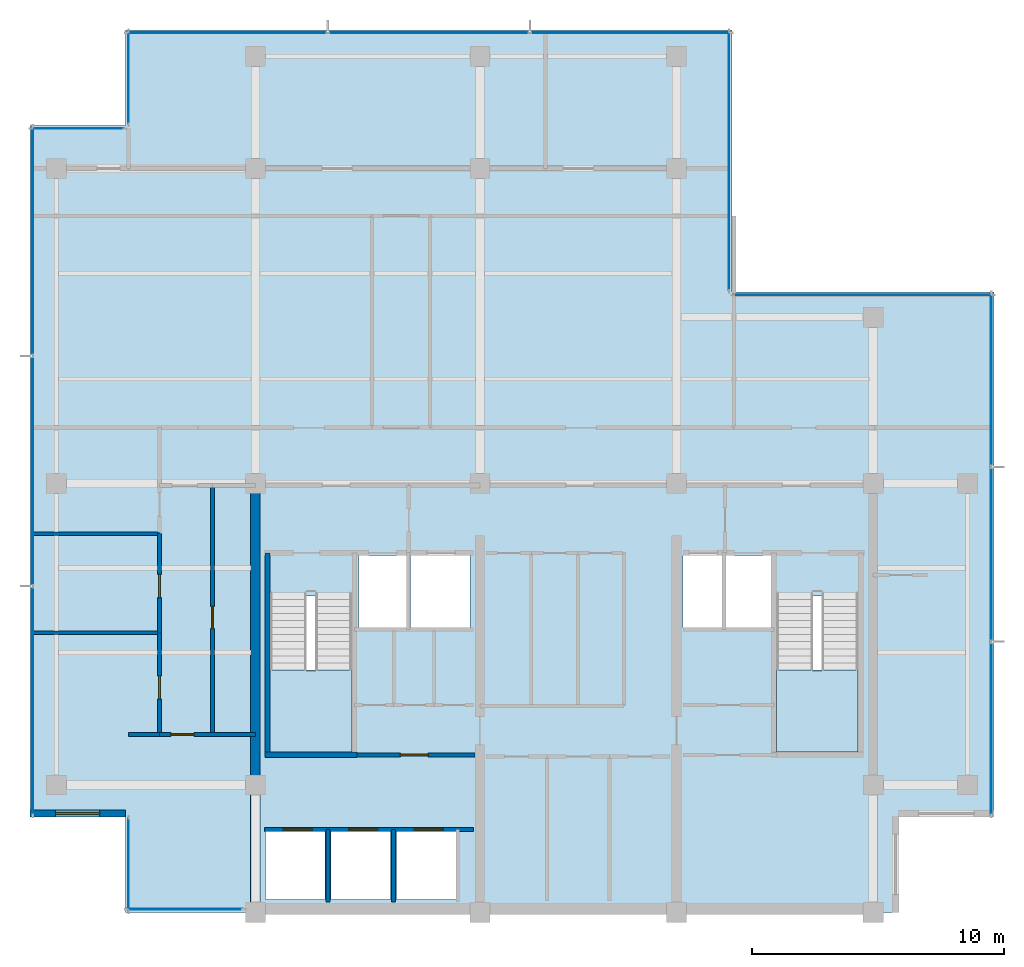
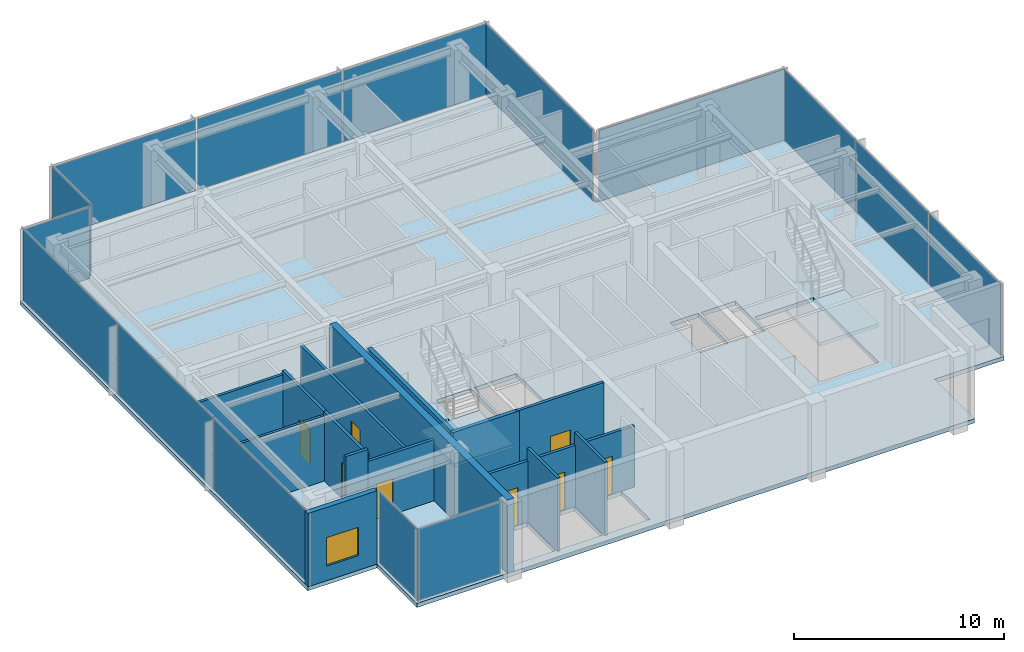
# One storey, part 5 of 11: 15 plates, 15 walls, 8 doors, 3 slabs, 1 window, 9 openings, 11 elements without a shape of their own.
"""IFC4 building model written with IfcOpenShell, lengths in metres."""

import ifcopenshell
import ifcopenshell.guid

model = None  # the IFC model being written
_history = None  # IfcOwnerHistory: only IFC2X3 demands one
_inside = {}  # id of a spatial element -> (the spatial element, [elements in it])
_under = {}  # id of a project, library or spatial element -> (it, [spatial elements below it])
_declared = {}  # id of a project -> (the project, [libraries it declares])
_typed = {}  # id of a type object -> (the type object, [elements of that type])
_made_of = {}  # id of a material, layer set ... -> (it, [elements and type objects made of it])


def new_model(schema):
    """Start an empty IFC model of exactly this schema.

    Asked for "IFC4X3", IfcOpenShell would pick the latest addendum, in which some entities
    have other attributes; the version numbers below select the first issue.
    IFC2X3 requires an IfcOwnerHistory on every rooted entity: one is made here for all.
    """
    global model, _history
    if schema == "IFC4X3":
        model = ifcopenshell.file(schema_version=(4, 3, 0, 0))
    else:
        model = ifcopenshell.file(schema=schema)
    _inside.clear()
    _under.clear()
    _declared.clear()
    _typed.clear()
    _made_of.clear()
    _history = None
    if model.schema == "IFC2X3":
        org = make("IfcOrganization", Name="unknown")
        user = make(
            "IfcPersonAndOrganization",
            ThePerson=make("IfcPerson", FamilyName="unknown"),
            TheOrganization=org,
        )
        app = make(
            "IfcApplication",
            ApplicationDeveloper=org,
            Version="unknown",
            ApplicationFullName="unknown",
            ApplicationIdentifier="unknown",
        )
        _history = make(
            "IfcOwnerHistory",
            OwningUser=user,
            OwningApplication=app,
            ChangeAction="ADDED",
            CreationDate=0,
        )
    return model


def make(cls, **values):
    """One entity of the class cls with the attributes given. An attribute that is None is left unset."""
    return model.create_entity(
        cls, **{name: value for name, value in values.items() if value is not None}
    )


def rooted(cls, **values):
    """An entity with a GlobalId (a new one), such as an element, a storey or a relation."""
    return make(cls, GlobalId=ifcopenshell.guid.new(), OwnerHistory=_history, **values)


def si_unit(unit_type, name, prefix=None):
    """IfcSIUnit, for example si_unit("LENGTHUNIT", "METRE", prefix="MILLI")."""
    return make("IfcSIUnit", UnitType=unit_type, Prefix=prefix, Name=name)


def assignment(units):
    """IfcUnitAssignment: the units of a project."""
    return None if units is None else make("IfcUnitAssignment", Units=units)


def point(xyz):
    """IfcCartesianPoint."""
    return None if xyz is None else make("IfcCartesianPoint", Coordinates=xyz)


def direction(xyz):
    """IfcDirection."""
    return None if xyz is None else make("IfcDirection", DirectionRatios=xyz)


def frame(location, z_axis=None, x_axis=None):
    """IfcAxis2Placement3D, a coordinate frame: its origin and axes. An axis left out is left unset."""
    return make(
        "IfcAxis2Placement3D",
        Location=point(location),
        Axis=direction(z_axis),
        RefDirection=direction(x_axis),
    )


def frame_2d(location, x_axis=None):
    """IfcAxis2Placement2D, a coordinate frame in the plane: its origin and x axis."""
    return make(
        "IfcAxis2Placement2D", Location=point(location), RefDirection=direction(x_axis)
    )


def origin():
    """The frame at (0, 0, 0) with its axes left unset."""
    return frame((0.0, 0.0, 0.0))


def origin_2d():
    """The frame at (0, 0) in the plane with its x axis left unset."""
    return frame_2d((0.0, 0.0))


def place(relative_to, where):
    """IfcLocalPlacement: puts the frame where relative to a parent placement (None: the world)."""
    return make(
        "IfcLocalPlacement", PlacementRelTo=relative_to, RelativePlacement=where
    )


def context(
    kind, dimensions, precision=None, world=None, true_north=None, identifier=None
):
    """IfcGeometricRepresentationContext, for example the 3D "Model" context."""
    return make(
        "IfcGeometricRepresentationContext",
        ContextIdentifier=identifier,
        ContextType=kind,
        CoordinateSpaceDimension=dimensions,
        Precision=precision,
        WorldCoordinateSystem=world,
        TrueNorth=true_north,
    )


def subcontext(parent, identifier, kind, view, scale=None):
    """IfcGeometricRepresentationSubContext, for example "Body" below "Model"."""
    return make(
        "IfcGeometricRepresentationSubContext",
        ContextIdentifier=identifier,
        ContextType=kind,
        ParentContext=parent,
        TargetScale=scale,
        TargetView=view,
    )


def project(units=None, contexts=None):
    """IfcProject with its units and contexts."""
    return rooted(
        "IfcProject",
        Name="project",
        RepresentationContexts=contexts,
        UnitsInContext=assignment(units),
    )


def spatial(cls, under=None, at=None, **own):
    """A site, building, storey or space (cls), placed at a placement, below another one or the project."""
    s = rooted(cls, ObjectPlacement=at, **own)
    if under is not None:
        _under.setdefault(under.id(), (under, []))[1].append(s)
    return s


def polyline(points):
    """IfcPolyline through the points."""
    return make("IfcPolyline", Points=[point(p) for p in points])


def profile(cls, at=None, kind="AREA", **sizes):
    """A parametric profile (cls). Its sizes go by their IFC names, for example OverallWidth=200.0."""
    return make(cls, ProfileType=kind, Position=at, **sizes)


def rectangle(**sizes):
    """IfcRectangleProfileDef."""
    return profile("IfcRectangleProfileDef", **sizes)


def outline(outer, holes=None, kind="AREA"):
    """IfcArbitraryClosedProfileDef: a profile drawn as a closed curve; with holes, ...WithVoids."""
    if holes is None:
        return make("IfcArbitraryClosedProfileDef", ProfileType=kind, OuterCurve=outer)
    return make(
        "IfcArbitraryProfileDefWithVoids",
        ProfileType=kind,
        OuterCurve=outer,
        InnerCurves=holes,
    )


def extrude(swept, where, along, depth):
    """IfcExtrudedAreaSolid: the profile swept, set in the frame where, extruded along a direction by depth."""
    return make(
        "IfcExtrudedAreaSolid",
        SweptArea=swept,
        Position=where,
        ExtrudedDirection=direction(along),
        Depth=depth,
    )


def shape(context_of_items, identifier, shape_type, items):
    """IfcShapeRepresentation: the items that make up one representation, for example the "Body"."""
    return make(
        "IfcShapeRepresentation",
        ContextOfItems=context_of_items,
        RepresentationIdentifier=identifier,
        RepresentationType=shape_type,
        Items=items,
    )


def material(Name=None, Category=None):
    """IfcMaterial."""
    return make("IfcMaterial", Name=Name, Category=Category)


def layer(
    of_material, thickness, ventilated=None, Name=None, Category=None, Priority=None
):
    """IfcMaterialLayer: one layer of a wall or slab, of a material (None: an air gap)."""
    return make(
        "IfcMaterialLayer",
        Material=of_material,
        LayerThickness=thickness,
        IsVentilated=ventilated,
        Name=Name,
        Category=Category,
        Priority=Priority,
    )


def layer_set(layers, Name=None):
    """IfcMaterialLayerSet."""
    return make("IfcMaterialLayerSet", MaterialLayers=layers, LayerSetName=Name)


def made_of(thing, what):
    """Note that an element or type object is made of a material, layer set ...; save() writes the relation."""
    if what is not None:
        _made_of.setdefault(what.id(), (what, []))[1].append(thing)
    return thing


def type_object(cls, material=None, **own):
    """A type object (cls), such as IfcWallType, which elements share."""
    return made_of(rooted(cls, **own), material)


def element(
    cls,
    number,
    at=None,
    inside=None,
    cuts=None,
    type_object=None,
    material=None,
    context=None,
    identifier="Body",
    shape_type=None,
    held_by="IfcProductDefinitionShape",
    body=None,
    shapes=None,
    **own,
):
    """One element of the class cls, such as IfcWall. Its Tag is "e" and its number.

    at: its placement. inside: the storey or other place that contains it. cuts: it is an
    opening in that element (IfcRelVoidsElement). A single representation is given by context,
    identifier, shape_type and body (its items); several are given by shapes. held_by: the class
    of the entity that holds the representations. save() writes the other relations.
    """
    e = rooted(cls, Tag="e%d" % number, ObjectPlacement=at, **own)
    if body is not None:
        shapes = [shape(context, identifier, shape_type, body)]
    if shapes is not None:
        e.Representation = make(held_by, Representations=shapes)
    if inside is not None:
        _inside.setdefault(inside.id(), (inside, []))[1].append(e)
    if cuts is not None:
        rooted(
            "IfcRelVoidsElement", RelatingBuildingElement=cuts, RelatedOpeningElement=e
        )
    if type_object is not None:
        _typed.setdefault(type_object.id(), (type_object, []))[1].append(e)
    return made_of(e, material)


def fill(opening, filler):
    """IfcRelFillsElement: the door or window that sits in an opening."""
    return rooted(
        "IfcRelFillsElement",
        RelatingOpeningElement=opening,
        RelatedBuildingElement=filler,
    )


def aggregate(whole, parts):
    """IfcRelAggregates: a whole, such as a stair, and the parts it consists of."""
    return rooted("IfcRelAggregates", RelatingObject=whole, RelatedObjects=parts)


def save(model, path):
    """Write the relations noted so far, then the file.

    IfcRelAggregates (storeys below a building ...), IfcRelContainedInSpatialStructure (elements
    in a storey), IfcRelDefinesByType, IfcRelAssociatesMaterial and IfcRelDeclares: one each for
    every whole, place, type object, material and project.
    """
    for whole, parts in _under.values():
        aggregate(whole, parts)
    for where, things in _inside.values():
        rooted(
            "IfcRelContainedInSpatialStructure",
            RelatedElements=things,
            RelatingStructure=where,
        )
    for kind, things in _typed.values():
        rooted("IfcRelDefinesByType", RelatedObjects=things, RelatingType=kind)
    for what, things in _made_of.values():
        rooted("IfcRelAssociatesMaterial", RelatedObjects=things, RelatingMaterial=what)
    for by, libraries in _declared.values():
        rooted("IfcRelDeclares", RelatingContext=by, RelatedDefinitions=libraries)
    model.write(path)


model = new_model("IFC4")

# Units and contexts
model_context = context("Model", 3, precision=1e-05, world=origin(), true_north=direction((0.0, 1.0)))
body_context = subcontext(model_context, "Body", "Model", "MODEL_VIEW")
ifc_project = project(units=[si_unit("LENGTHUNIT", "METRE"), si_unit("AREAUNIT", "SQUARE_METRE"), si_unit("VOLUMEUNIT", "CUBIC_METRE"), si_unit("PLANEANGLEUNIT", "RADIAN"), si_unit("MASSUNIT", "GRAM", prefix="KILO")], contexts=[model_context])

# Site, building, storey
site_placement = place(None, origin())
site = spatial("IfcSite", under=ifc_project, at=site_placement, CompositionType="ELEMENT")
building_placement = place(site_placement, origin())
building = spatial("IfcBuilding", under=site, at=building_placement, Name="Qalmaran Belvedere Hotel", CompositionType="ELEMENT")
storey_placement = place(building_placement, frame((0.0, 0.0, 285.39990234375)))
storey = spatial("IfcBuildingStorey", under=building, at=storey_placement, Name="L74", CompositionType="ELEMENT", Elevation=285.39990234375)

# Curtain wall, plate
ifc_material_1 = material(Name="Anodised Bronze Aluminium", Category="aluminium")
ifc_layer_1 = layer(ifc_material_1, 0.18505859375, Name="Anodised Bronze Aluminium")
ifc_layer_set_1 = layer_set([ifc_layer_1], Name="Anodised Bronze Aluminium")
curtain_wall_type = type_object("IfcCurtainWallType", Name="CW6-TOWER-SKY", PredefinedType="NOTDEFINED", material=ifc_layer_set_1)
curtain_wall_1_placement = place(storey_placement, origin())
curtain_wall_1 = element("IfcCurtainWall", 1, at=curtain_wall_1_placement, inside=storey, type_object=curtain_wall_type, Name="L74 Curtain Wall CW6", PredefinedType="NOTDEFINED")
ifc_material_2 = material(Name="Solar-Control Double Glazing", Category="glass")
ifc_layer_2 = layer(ifc_material_2, 0.028076171875, Name="Solar-Control Double Glazing")
ifc_layer_set_2 = layer_set([ifc_layer_2], Name="Solar-Control Double Glazing")
plate_type = type_object("IfcPlateType", Name="CWP-VISION-28", PredefinedType="CURTAIN_PANEL", material=ifc_layer_set_2)
plate_1_placement = place(storey_placement, frame((17.5048828125, 3.6201171875, 0.065185546875), z_axis=(0.0, 0.0, 1.0), x_axis=(1.0, 0.0, 0.0)))
plate_1 = element("IfcPlate", 2, at=plate_1_placement, type_object=plate_type, Name="CW6 panel 1.1", PredefinedType="CURTAIN_PANEL", context=body_context, shape_type="SweptSolid", body=[
    extrude(rectangle(XDim=4.580078125, YDim=0.028076171875, at=origin_2d()), origin(), (0.0, 0.0, 1.0), 4.1298828125),
])
aggregate(curtain_wall_1, [plate_1])

# Curtain wall, plates
curtain_wall_2_placement = place(storey_placement, origin())
curtain_wall_2 = element("IfcCurtainWall", 3, at=curtain_wall_2_placement, inside=storey, type_object=curtain_wall_type, Name="L74 Curtain Wall CW6", PredefinedType="NOTDEFINED")
plate_2_placement = place(storey_placement, frame((49.47998046875, 10.782958984375, 0.065185546875), z_axis=(0.0, 0.0, 1.0), x_axis=(0.0, 1.0, 0.0)))
plate_2 = element("IfcPlate", 4, at=plate_2_placement, type_object=plate_type, Name="CW6 panel 1.1", PredefinedType="CURTAIN_PANEL", context=body_context, shape_type="SweptSolid", body=[
    extrude(rectangle(XDim=6.8359375, YDim=0.028076171875, at=origin_2d()), origin(), (0.0, 0.0, 1.0), 4.1298828125),
])
plate_3_placement = place(storey_placement, frame((49.47998046875, 17.699951171875, 0.065185546875), z_axis=(0.0, 0.0, 1.0), x_axis=(0.0, 1.0, 0.0)))
plate_3 = element("IfcPlate", 5, at=plate_3_placement, type_object=plate_type, Name="CW6 panel 2.1", PredefinedType="CURTAIN_PANEL", context=body_context, shape_type="SweptSolid", body=[
    extrude(rectangle(XDim=6.868408203125, YDim=0.028076171875, at=origin_2d()), origin(), (0.0, 0.0, 1.0), 4.1298828125),
])
plate_4_placement = place(storey_placement, frame((49.47998046875, 24.6171875, 0.065185546875), z_axis=(0.0, 0.0, 1.0), x_axis=(0.0, 1.0, 0.0)))
plate_4 = element("IfcPlate", 6, at=plate_4_placement, type_object=plate_type, Name="CW6 panel 3.1", PredefinedType="CURTAIN_PANEL", context=body_context, shape_type="SweptSolid", body=[
    extrude(rectangle(XDim=6.8359375, YDim=0.028076171875, at=origin_2d()), origin(), (0.0, 0.0, 1.0), 4.1298828125),
])
aggregate(curtain_wall_2, [plate_2, plate_3, plate_4])

# Curtain wall, plate
curtain_wall_3_placement = place(storey_placement, origin())
curtain_wall_3 = element("IfcCurtainWall", 7, at=curtain_wall_3_placement, inside=storey, type_object=curtain_wall_type, Name="L74 Curtain Wall CW6", PredefinedType="NOTDEFINED")
plate_5_placement = place(storey_placement, frame((44.39990234375, 27.97998046875, 0.065185546875), z_axis=(0.0, 0.0, 1.0), x_axis=(-1.0, 0.0, 0.0)))
plate_5 = element("IfcPlate", 8, at=plate_5_placement, type_object=plate_type, Name="CW6 panel 1.1", PredefinedType="CURTAIN_PANEL", context=body_context, shape_type="SweptSolid", body=[
    extrude(rectangle(XDim=10.27001953125, YDim=0.028076171875, at=origin_2d()), origin(), (0.0, 0.0, 1.0), 4.1298828125),
])
aggregate(curtain_wall_3, [plate_5])

curtain_wall_4_placement = place(storey_placement, origin())
curtain_wall_4 = element("IfcCurtainWall", 9, at=curtain_wall_4_placement, inside=storey, type_object=curtain_wall_type, Name="L74 Curtain Wall CW6", PredefinedType="NOTDEFINED")
plate_6_placement = place(storey_placement, frame((39.080078125, 33.300048828125, 0.065185546875), z_axis=(0.0, 0.0, 1.0), x_axis=(0.0, 1.0, 0.0)))
plate_6 = element("IfcPlate", 10, at=plate_6_placement, type_object=plate_type, Name="CW6 panel 1.1", PredefinedType="CURTAIN_PANEL", context=body_context, shape_type="SweptSolid", body=[
    extrude(rectangle(XDim=10.27001953125, YDim=0.028076171875, at=origin_2d()), origin(), (0.0, 0.0, 1.0), 4.1298828125),
])
aggregate(curtain_wall_4, [plate_6])

# Curtain wall, plates
curtain_wall_5_placement = place(storey_placement, origin())
curtain_wall_5 = element("IfcCurtainWall", 11, at=curtain_wall_5_placement, inside=storey, type_object=curtain_wall_type, Name="L74 Curtain Wall CW6", PredefinedType="NOTDEFINED")
plate_7_placement = place(storey_placement, frame((35.175537109375, 38.3798828125, 0.065185546875), z_axis=(0.0, 0.0, 1.0), x_axis=(-1.0, 0.0, 0.0)))
plate_7 = element("IfcPlate", 12, at=plate_7_placement, type_object=plate_type, Name="CW6 panel 1.1", PredefinedType="CURTAIN_PANEL", context=body_context, shape_type="SweptSolid", body=[
    extrude(rectangle(XDim=7.919189453125, YDim=0.028076171875, at=origin_2d()), origin(), (0.0, 0.0, 1.0), 4.1298828125),
])
plate_8_placement = place(storey_placement, frame((27.175048828125, 38.3798828125, 0.065185546875), z_axis=(0.0, 0.0, 1.0), x_axis=(-1.0, 0.0, 0.0)))
plate_8 = element("IfcPlate", 13, at=plate_8_placement, type_object=plate_type, Name="CW6 panel 2.1", PredefinedType="CURTAIN_PANEL", context=body_context, shape_type="SweptSolid", body=[
    extrude(rectangle(XDim=7.95166015625, YDim=0.028076171875, at=origin_2d()), origin(), (0.0, 0.0, 1.0), 4.1298828125),
])
plate_9_placement = place(storey_placement, frame((19.174560546875, 38.3798828125, 0.065185546875), z_axis=(0.0, 0.0, 1.0), x_axis=(-1.0, 0.0, 0.0)))
plate_9 = element("IfcPlate", 14, at=plate_9_placement, type_object=plate_type, Name="CW6 panel 3.1", PredefinedType="CURTAIN_PANEL", context=body_context, shape_type="SweptSolid", body=[
    extrude(rectangle(XDim=7.919189453125, YDim=0.028076171875, at=origin_2d()), origin(), (0.0, 0.0, 1.0), 4.1298828125),
])
aggregate(curtain_wall_5, [plate_7, plate_8, plate_9])

# Curtain wall, plate
curtain_wall_6_placement = place(storey_placement, origin())
curtain_wall_6 = element("IfcCurtainWall", 15, at=curtain_wall_6_placement, inside=storey, type_object=curtain_wall_type, Name="L74 Curtain Wall CW6", PredefinedType="NOTDEFINED")
plate_10_placement = place(storey_placement, frame((15.27001953125, 36.60009765625, 0.065185546875), z_axis=(0.0, 0.0, 1.0), x_axis=(0.0, -1.0, 0.0)))
plate_10 = element("IfcPlate", 16, at=plate_10_placement, type_object=plate_type, Name="CW6 panel 1.1", PredefinedType="CURTAIN_PANEL", context=body_context, shape_type="SweptSolid", body=[
    extrude(rectangle(XDim=3.669921875, YDim=0.028076171875, at=origin_2d()), origin(), (0.0, 0.0, 1.0), 4.1298828125),
])
aggregate(curtain_wall_6, [plate_10])

curtain_wall_7_placement = place(storey_placement, origin())
curtain_wall_7 = element("IfcCurtainWall", 17, at=curtain_wall_7_placement, inside=storey, type_object=curtain_wall_type, Name="L74 Curtain Wall CW6", PredefinedType="NOTDEFINED")
plate_11_placement = place(storey_placement, frame((13.25, 34.580078125, 0.065185546875), z_axis=(0.0, 0.0, 1.0), x_axis=(-1.0, 0.0, 0.0)))
plate_11 = element("IfcPlate", 18, at=plate_11_placement, type_object=plate_type, Name="CW6 panel 1.1", PredefinedType="CURTAIN_PANEL", context=body_context, shape_type="SweptSolid", body=[
    extrude(rectangle(XDim=3.669921875, YDim=0.028076171875, at=origin_2d()), origin(), (0.0, 0.0, 1.0), 4.1298828125),
])
aggregate(curtain_wall_7, [plate_11])

# Curtain wall, plates
curtain_wall_8_placement = place(storey_placement, origin())
curtain_wall_8 = element("IfcCurtainWall", 19, at=curtain_wall_8_placement, inside=storey, type_object=curtain_wall_type, Name="L74 Curtain Wall CW6", PredefinedType="NOTDEFINED")
plate_12_placement = place(storey_placement, frame((11.469970703125, 30.1171875, 0.065185546875), z_axis=(0.0, 0.0, 1.0), x_axis=(0.0, -1.0, 0.0)))
plate_12 = element("IfcPlate", 20, at=plate_12_placement, type_object=plate_type, Name="CW6 panel 1.1", PredefinedType="CURTAIN_PANEL", context=body_context, shape_type="SweptSolid", body=[
    extrude(rectangle(XDim=9.035888671875, YDim=0.028076171875, at=origin_2d()), origin(), (0.0, 0.0, 1.0), 4.1298828125),
])
plate_13_placement = place(storey_placement, frame((11.469970703125, 21.0, 0.065185546875), z_axis=(0.0, 0.0, 1.0), x_axis=(0.0, -1.0, 0.0)))
plate_13 = element("IfcPlate", 21, at=plate_13_placement, type_object=plate_type, Name="CW6 panel 2.1", PredefinedType="CURTAIN_PANEL", context=body_context, shape_type="SweptSolid", body=[
    extrude(rectangle(XDim=9.068359375, YDim=0.028076171875, at=origin_2d()), origin(), (0.0, 0.0, 1.0), 4.1298828125),
])
plate_14_placement = place(storey_placement, frame((11.469970703125, 11.8828125, 0.065185546875), z_axis=(0.0, 0.0, 1.0), x_axis=(0.0, -1.0, 0.0)))
plate_14 = element("IfcPlate", 22, at=plate_14_placement, type_object=plate_type, Name="CW6 panel 3.1", PredefinedType="CURTAIN_PANEL", context=body_context, shape_type="SweptSolid", body=[
    extrude(rectangle(XDim=9.035888671875, YDim=0.028076171875, at=origin_2d()), origin(), (0.0, 0.0, 1.0), 4.1298828125),
])
aggregate(curtain_wall_8, [plate_12, plate_13, plate_14])

# Curtain wall, plate
curtain_wall_9_placement = place(storey_placement, origin())
curtain_wall_9 = element("IfcCurtainWall", 23, at=curtain_wall_9_placement, inside=storey, type_object=curtain_wall_type, Name="L74 Curtain Wall CW6", PredefinedType="NOTDEFINED")
plate_15_placement = place(storey_placement, frame((15.27001953125, 5.39990234375, 0.065185546875), z_axis=(0.0, 0.0, 1.0), x_axis=(0.0, -1.0, 0.0)))
plate_15 = element("IfcPlate", 24, at=plate_15_placement, type_object=plate_type, Name="CW6 panel 1.1", PredefinedType="CURTAIN_PANEL", context=body_context, shape_type="SweptSolid", body=[
    extrude(rectangle(XDim=3.669921875, YDim=0.028076171875, at=origin_2d()), origin(), (0.0, 0.0, 1.0), 4.1298828125),
])
aggregate(curtain_wall_9, [plate_15])

# Stair, slab
ifc_material_3 = material(Name="Concrete C40/50", Category="concrete")
stair_type_1 = type_object("IfcStairType", Name="STR-ST-1-1450-R1875", PredefinedType="HALF_TURN_STAIR", material=ifc_material_3)
stair_1_placement = place(storey_placement, origin())
stair_1 = element("IfcStair", 25, at=stair_1_placement, inside=storey, type_object=stair_type_1, Name="L74 West Core Exit Stair ST-1", PredefinedType="HALF_TURN_STAIR")
ifc_layer_3 = layer(ifc_material_3, 0.199951171875, Name="Concrete C40/50")
ifc_layer_set_3 = layer_set([ifc_layer_3], Name="Concrete C40/50")
slab_type_1 = type_object("IfcSlabType", Name="SLB-STAIR-LANDING-200", PredefinedType="LANDING", material=ifc_layer_set_3)
slab_1_placement = place(storey_placement, frame((0.0, 0.0, 2.050048828125)))
slab_1 = element("IfcSlab", 26, at=slab_1_placement, type_object=slab_type_1, Name="ST-1 landing 1", PredefinedType="LANDING", context=body_context, shape_type="SweptSolid", body=[
    extrude(outline(polyline([(20.8798828125, 13.110107421875), (20.8798828125, 9.85009765625), (24.1201171875, 9.85009765625), (24.1201171875, 13.110107421875), (20.8798828125, 13.110107421875)])), origin(), (0.0, 0.0, 1.0), 0.199951171875),
])
aggregate(stair_1, [slab_1])

stair_type_2 = type_object("IfcStairType", Name="STR-ST-2-1450-R1875", PredefinedType="HALF_TURN_STAIR", material=ifc_material_3)
stair_2_placement = place(storey_placement, origin())
stair_2 = element("IfcStair", 27, at=stair_2_placement, inside=storey, type_object=stair_type_2, Name="L74 East Core Exit Stair ST-2", PredefinedType="HALF_TURN_STAIR")
slab_2_placement = place(storey_placement, frame((0.0, 0.0, 2.050048828125)))
slab_2 = element("IfcSlab", 28, at=slab_2_placement, type_object=slab_type_1, Name="ST-2 landing 1", PredefinedType="LANDING", context=body_context, shape_type="SweptSolid", body=[
    extrude(outline(polyline([(40.9599609375, 13.110107421875), (40.9599609375, 9.85009765625), (44.199951171875, 9.85009765625), (44.199951171875, 13.110107421875), (40.9599609375, 13.110107421875)])), origin(), (0.0, 0.0, 1.0), 0.199951171875),
])
aggregate(stair_2, [slab_2])

# Slab
ifc_layer_4 = layer(ifc_material_3, 0.239990234375, Name="Concrete C40/50")
ifc_layer_set_4 = layer_set([ifc_layer_4], Name="Concrete C40/50")
slab_type_2 = type_object("IfcSlabType", Name="SLB-Z4-240", PredefinedType="FLOOR", material=ifc_layer_set_4)
slab_3_placement = place(storey_placement, frame((0.0, 0.0, -0.239990234375)))
element("IfcSlab", 29, at=slab_3_placement, inside=storey, type_object=slab_type_2, Name="L74 Structural Floor Slab", PredefinedType="FLOOR", context=body_context, shape_type="SweptSolid", body=[
    extrude(outline(polyline([(15.14990234375, 3.5), (45.800048828125, 3.5), (45.800048828125, 7.300048828125), (49.60009765625, 7.300048828125), (49.60009765625, 28.10009765625), (39.199951171875, 28.10009765625), (39.199951171875, 38.5), (15.14990234375, 38.5), (15.14990234375, 34.699951171875), (11.35009765625, 34.699951171875), (11.35009765625, 7.300048828125), (15.14990234375, 7.300048828125), (15.14990234375, 3.5)]), holes=[polyline([(20.8798828125, 9.85009765625), (24.1201171875, 9.85009765625), (24.1201171875, 16.0400390625), (20.8798828125, 16.0400390625), (20.8798828125, 9.85009765625)]), polyline([(40.9599609375, 9.85009765625), (44.199951171875, 9.85009765625), (44.199951171875, 16.0400390625), (40.9599609375, 16.0400390625), (40.9599609375, 9.85009765625)]), polyline([(20.699951171875, 4.0), (23.050048828125, 4.0), (23.050048828125, 6.699951171875), (20.699951171875, 6.699951171875), (20.699951171875, 4.0)]), polyline([(23.300048828125, 4.0), (25.64990234375, 4.0), (25.64990234375, 6.699951171875), (23.300048828125, 6.699951171875), (23.300048828125, 4.0)]), polyline([(25.89990234375, 4.0), (28.25, 4.0), (28.25, 6.699951171875), (25.89990234375, 6.699951171875), (25.89990234375, 4.0)]), polyline([(24.39990234375, 14.800048828125), (26.300048828125, 14.800048828125), (26.300048828125, 17.64990234375), (24.39990234375, 17.64990234375), (24.39990234375, 14.800048828125)]), polyline([(38.949951171875, 14.800048828125), (40.820068359375, 14.800048828125), (40.820068359375, 17.64990234375), (38.949951171875, 17.64990234375), (38.949951171875, 14.800048828125)]), polyline([(26.449951171875, 14.800048828125), (28.800048828125, 14.800048828125), (28.800048828125, 17.64990234375), (26.449951171875, 17.64990234375), (26.449951171875, 14.800048828125)]), polyline([(37.25, 14.800048828125), (38.800048828125, 14.800048828125), (38.800048828125, 17.64990234375), (37.25, 17.64990234375), (37.25, 14.800048828125)])]), origin(), (0.0, 0.0, 1.0), 0.239990234375),
])

# Wall
ifc_material_4 = material(Name="Concrete C50/60", Category="concrete")
ifc_layer_5 = layer(ifc_material_4, 0.3798828125, Name="Concrete C50/60")
ifc_layer_set_5 = layer_set([ifc_layer_5], Name="Concrete C50/60")
wall_type_1 = type_object("IfcWallType", Name="WL-CORE-380-C50", PredefinedType="SHEAR", material=ifc_layer_set_5)
wall_1_placement = place(storey_placement, frame((20.300048828125, 3.5, 0.0), z_axis=(0.0, 0.0, 1.0), x_axis=(0.0, 1.0, 0.0)))
element("IfcWall", 30, at=wall_1_placement, inside=storey, type_object=wall_type_1, Name="L74 West Core Shear Wall", PredefinedType="SHEAR", context=body_context, shape_type="SweptSolid", body=[
    extrude(rectangle(XDim=16.89990234375, YDim=0.3798828125, at=frame_2d((8.449951171875, 0.0))), origin(), (0.0, 0.0, 1.0), 4.260009765625),
])

# Wall, opening, window
ifc_material_5 = material(Name="Anodised Bronze Cladding")
ifc_layer_6 = layer(ifc_material_5, 0.280029296875, Name="Anodised Bronze Cladding")
ifc_layer_set_6 = layer_set([ifc_layer_6], Name="Anodised Bronze Cladding")
wall_type_2 = type_object("IfcWallType", Name="WL-EXT-BRNZ-280", PredefinedType="SOLIDWALL", material=ifc_layer_set_6)
wall_2_placement = place(storey_placement, frame((11.35009765625, 7.419921875, 0.0), z_axis=(0.0, 0.0, 1.0), x_axis=(1.0, 0.0, 0.0)))
wall_2 = element("IfcWall", 31, at=wall_2_placement, inside=storey, type_object=wall_type_2, Name="L74 Corner Notch Wall 10", PredefinedType="SOLIDWALL", context=body_context, shape_type="SweptSolid", body=[
    extrude(rectangle(XDim=3.7998046875, YDim=0.280029296875, at=frame_2d((1.89990234375, 0.0))), origin(), (0.0, 0.0, 1.0), 4.260009765625),
])
opening_1_placement = place(wall_2_placement, frame((1.02490234375, 0.0, 0.85009765625)))
opening_1 = element("IfcOpeningElement", 32, at=opening_1_placement, cuts=wall_2, Name="Opening W-N17", PredefinedType="OPENING", context=body_context, shape_type="SweptSolid", body=[
    extrude(rectangle(XDim=1.75, YDim=1.64990234375, at=frame_2d((0.875, 0.824951171875))), frame((0.0, 0.14990234375, 0.0), z_axis=(0.0, -1.0, 0.0), x_axis=(1.0, 0.0, 0.0)), (0.0, 0.0, 1.0), 0.300048828125),
])
window_type = type_object("IfcWindowType", Name="WN-NTC-1750X1650", PartitioningType="SINGLE_PANEL", PredefinedType="WINDOW", material=ifc_material_2)
window_placement = place(opening_1_placement, origin())
window = element("IfcWindow", 33, at=window_placement, inside=storey, type_object=window_type, Name="L74 Corner Notch Window 10", OverallHeight=1.64990234375, OverallWidth=1.75, PartitioningType="SINGLE_PANEL", PredefinedType="WINDOW", context=body_context, shape_type="SweptSolid", body=[
    extrude(rectangle(XDim=1.75, YDim=1.64990234375, at=frame_2d((0.875, 0.824951171875))), frame((0.0, 0.030029296875, 0.0), z_axis=(0.0, -1.0, 0.0), x_axis=(1.0, 0.0, 0.0)), (0.0, 0.0, 1.0), 0.06005859375),
])
fill(opening_1, window)

# Walls
ifc_material_6 = material(Name="Gypsum Stud Partition")
ifc_layer_7 = layer(ifc_material_6, 0.139892578125, Name="Gypsum Stud Partition")
ifc_layer_set_7 = layer_set([ifc_layer_7], Name="Gypsum Stud Partition")
wall_type_3 = type_object("IfcWallType", Name="WL-INT-140-NR", PredefinedType="PARTITIONING", material=ifc_layer_set_7)
for number, where, z_axis, x_axis, name in (
    (34, (11.469970703125, 14.580078125, 0.0), (0.0, 0.0, 1.0), (1.0, 0.0, 0.0), "L74 Partition WL-L74-WC1"),
    (35, (11.469970703125, 18.52001953125, 0.0), (0.0, 0.0, 1.0), (1.0, 0.0, 0.0), "L74 Partition WL-L74-WC2"),
):
    element("IfcWall", number, at=place(storey_placement, frame(where, z_axis=z_axis, x_axis=x_axis)), inside=storey, type_object=wall_type_3, Name=name, PredefinedType="PARTITIONING", context=body_context, shape_type="SweptSolid", body=[
        extrude(rectangle(XDim=5.030029296875, YDim=0.139892578125, at=frame_2d((2.51513671875, 0.0))), origin(), (0.0, 0.0, 1.0), 3.781982421875),
    ])
ifc_layer_8 = layer(ifc_material_6, 0.14990234375, Name="Gypsum Stud Partition")
ifc_layer_set_8 = layer_set([ifc_layer_8], Name="Gypsum Stud Partition")
wall_type_4 = type_object("IfcWallType", Name="WL-INT-150-EI120", PredefinedType="PARTITIONING", material=ifc_layer_set_8)
for number, where, z_axis, x_axis, name in (
    (36, (23.179931640625, 3.89990234375, 0.0), (0.0, 0.0, 1.0), (0.0, 1.0, 0.0), "L74 Partition WL-POM1-L74"),
    (37, (25.780029296875, 3.89990234375, 0.0), (0.0, 0.0, 1.0), (0.0, 1.0, 0.0), "L74 Partition WL-POM2-L74"),
):
    element("IfcWall", number, at=place(storey_placement, frame(where, z_axis=z_axis, x_axis=x_axis)), inside=storey, type_object=wall_type_4, Name=name, PredefinedType="PARTITIONING", context=body_context, shape_type="SweptSolid", body=[
        extrude(rectangle(XDim=2.880126953125, YDim=0.14990234375, at=frame_2d((1.43994140625, 0.0))), origin(), (0.0, 0.0, 1.0), 4.260009765625),
    ])

# Wall, openings, doors
ifc_layer_9 = layer(ifc_material_6, 0.159912109375, Name="Gypsum Stud Partition")
ifc_layer_set_9 = layer_set([ifc_layer_9], Name="Gypsum Stud Partition")
wall_type_5 = type_object("IfcWallType", Name="WL-INT-160-EI120", PredefinedType="PARTITIONING", material=ifc_layer_set_9)
wall_3_placement = place(storey_placement, frame((20.64990234375, 6.780029296875, 0.0), z_axis=(0.0, 0.0, 1.0), x_axis=(1.0, 0.0, 0.0)))
wall_3 = element("IfcWall", 38, at=wall_3_placement, inside=storey, type_object=wall_type_5, Name="L74 Partition WL-POS-L74", PredefinedType="PARTITIONING", context=body_context, shape_type="SweptSolid", body=[
    extrude(rectangle(XDim=8.300048828125, YDim=0.159912109375, at=frame_2d((4.14990234375, 0.0))), origin(), (0.0, 0.0, 1.0), 3.550048828125),
])
opening_2_placement = place(wall_3_placement, frame((0.75, 0.0, 0.0)))
opening_2 = element("IfcOpeningElement", 39, at=opening_2_placement, cuts=wall_3, Name="Opening LD-PO", PredefinedType="OPENING", context=body_context, shape_type="SweptSolid", body=[
    extrude(rectangle(XDim=1.14990234375, YDim=2.199951171875, at=frame_2d((0.574951171875, 1.10009765625))), frame((0.0, 0.08984375, 0.0), z_axis=(0.0, -1.0, 0.0), x_axis=(1.0, 0.0, 0.0)), (0.0, 0.0, 1.0), 0.179931640625),
])
opening_3_placement = place(wall_3_placement, frame((3.35009765625, 0.0, 0.0)))
opening_3 = element("IfcOpeningElement", 40, at=opening_3_placement, cuts=wall_3, Name="Opening LD-PO", PredefinedType="OPENING", context=body_context, shape_type="SweptSolid", body=[
    extrude(rectangle(XDim=1.14990234375, YDim=2.199951171875, at=frame_2d((0.574951171875, 1.10009765625))), frame((0.0, 0.08984375, 0.0), z_axis=(0.0, -1.0, 0.0), x_axis=(1.0, 0.0, 0.0)), (0.0, 0.0, 1.0), 0.179931640625),
])
opening_4_placement = place(wall_3_placement, frame((5.949951171875, 0.0, 0.0)))
opening_4 = element("IfcOpeningElement", 41, at=opening_4_placement, cuts=wall_3, Name="Opening LD-PO", PredefinedType="OPENING", context=body_context, shape_type="SweptSolid", body=[
    extrude(rectangle(XDim=1.14990234375, YDim=2.199951171875, at=frame_2d((0.574951171875, 1.10009765625))), frame((0.0, 0.08984375, 0.0), z_axis=(0.0, -1.0, 0.0), x_axis=(1.0, 0.0, 0.0)), (0.0, 0.0, 1.0), 0.179931640625),
])
door_type_1 = type_object("IfcDoorType", Name="DR-LIFT-PO-1150X2200", OperationType="DOUBLE_DOOR_SLIDING", PredefinedType="DOOR", material=ifc_material_1)
door_1_placement = place(opening_2_placement, origin())
door_1 = element("IfcDoor", 42, at=door_1_placement, inside=storey, type_object=door_type_1, Name="L74 PO1 Shuttle Landing Door", OperationType="DOUBLE_DOOR_SLIDING", OverallHeight=2.199951171875, OverallWidth=1.14990234375, PredefinedType="DOOR", context=body_context, shape_type="SweptSolid", body=[
    extrude(rectangle(XDim=1.14990234375, YDim=2.199951171875, at=frame_2d((0.574951171875, 1.10009765625))), frame((0.0, 0.02490234375, 0.0), z_axis=(0.0, -1.0, 0.0), x_axis=(1.0, 0.0, 0.0)), (0.0, 0.0, 1.0), 0.050048828125),
])
fill(opening_2, door_1)
door_2_placement = place(opening_3_placement, origin())
door_2 = element("IfcDoor", 43, at=door_2_placement, inside=storey, type_object=door_type_1, Name="L74 PO2 Shuttle Landing Door", OperationType="DOUBLE_DOOR_SLIDING", OverallHeight=2.199951171875, OverallWidth=1.14990234375, PredefinedType="DOOR", context=body_context, shape_type="SweptSolid", body=[
    extrude(rectangle(XDim=1.14990234375, YDim=2.199951171875, at=frame_2d((0.574951171875, 1.10009765625))), frame((0.0, 0.02490234375, 0.0), z_axis=(0.0, -1.0, 0.0), x_axis=(1.0, 0.0, 0.0)), (0.0, 0.0, 1.0), 0.050048828125),
])
fill(opening_3, door_2)
door_3_placement = place(opening_4_placement, origin())
door_3 = element("IfcDoor", 44, at=door_3_placement, inside=storey, type_object=door_type_1, Name="L74 PO3 Shuttle Landing Door", OperationType="DOUBLE_DOOR_SLIDING", OverallHeight=2.199951171875, OverallWidth=1.14990234375, PredefinedType="DOOR", context=body_context, shape_type="SweptSolid", body=[
    extrude(rectangle(XDim=1.14990234375, YDim=2.199951171875, at=frame_2d((0.574951171875, 1.10009765625))), frame((0.0, 0.02490234375, 0.0), z_axis=(0.0, -1.0, 0.0), x_axis=(1.0, 0.0, 0.0)), (0.0, 0.0, 1.0), 0.050048828125),
])
fill(opening_4, door_3)

# Wall, opening, door
wall_4_placement = place(storey_placement, frame((24.199951171875, 9.739990234375, 0.0), z_axis=(0.0, 0.0, 1.0), x_axis=(1.0, 0.0, 0.0)))
wall_4 = element("IfcWall", 45, at=wall_4_placement, inside=storey, type_object=wall_type_5, Name="L74 Partition WL-PON-L74", PredefinedType="PARTITIONING", context=body_context, shape_type="SweptSolid", body=[
    extrude(rectangle(XDim=4.800048828125, YDim=0.159912109375, at=frame_2d((2.39990234375, 0.0))), origin(), (0.0, 0.0, 1.0), 4.260009765625),
])
opening_5_placement = place(wall_4_placement, frame((1.85009765625, 0.0, 0.0)))
opening_5 = element("IfcOpeningElement", 46, at=opening_5_placement, cuts=wall_4, Name="Opening FD90", PredefinedType="OPENING", context=body_context, shape_type="SweptSolid", body=[
    extrude(rectangle(XDim=1.10009765625, YDim=2.14990234375, at=frame_2d((0.550048828125, 1.074951171875))), frame((0.0, 0.08984375, 0.0), z_axis=(0.0, -1.0, 0.0), x_axis=(1.0, 0.0, 0.0)), (0.0, 0.0, 1.0), 0.179931640625),
])
ifc_material_7 = material(Name="Steel S355JR", Category="steel")
door_type_2 = type_object("IfcDoorType", Name="DR-FD90-1100X2150", OperationType="NOTDEFINED", PredefinedType="DOOR", material=ifc_material_7)
door_4_placement = place(opening_5_placement, origin())
door_4 = element("IfcDoor", 47, at=door_4_placement, inside=storey, type_object=door_type_2, Name="L74 Shuttle Lobby Passage Door", OperationType="SINGLE_SWING_LEFT", OverallHeight=2.14990234375, OverallWidth=1.10009765625, PredefinedType="DOOR", context=body_context, shape_type="SweptSolid", body=[
    extrude(rectangle(XDim=1.10009765625, YDim=2.14990234375, at=frame_2d((0.550048828125, 1.074951171875))), frame((0.0, 0.02490234375, 0.0), z_axis=(0.0, -1.0, 0.0), x_axis=(1.0, 0.0, 0.0)), (0.0, 0.0, 1.0), 0.050048828125),
])
fill(opening_5, door_4)

# Wall
ifc_layer_10 = layer(ifc_material_6, 0.159912109375, Name="Gypsum Stud Partition")
ifc_layer_set_10 = layer_set([ifc_layer_10], Name="Gypsum Stud Partition")
wall_type_6 = type_object("IfcWallType", Name="WL-INT-160-EI60", PredefinedType="PARTITIONING", material=ifc_layer_set_10)
wall_5_placement = place(storey_placement, frame((15.27001953125, 10.550048828125, 0.0), z_axis=(0.0, 0.0, 1.0), x_axis=(1.0, 0.0, 0.0)))
element("IfcWall", 48, at=wall_5_placement, inside=storey, type_object=wall_type_6, Name="L74 Partition WL-L74-WCS1", PredefinedType="PARTITIONING", context=body_context, shape_type="SweptSolid", body=[
    extrude(rectangle(XDim=1.22998046875, YDim=0.159912109375, at=frame_2d((0.614990234375, 0.0))), origin(), (0.0, 0.0, 1.0), 4.260009765625),
])

# Wall, opening, door
wall_6_placement = place(storey_placement, frame((16.5, 10.550048828125, 0.0), z_axis=(0.0, 0.0, 1.0), x_axis=(1.0, 0.0, 0.0)))
wall_6 = element("IfcWall", 49, at=wall_6_placement, inside=storey, type_object=wall_type_6, Name="L74 Partition WL-L74-WCS2", PredefinedType="PARTITIONING", context=body_context, shape_type="SweptSolid", body=[
    extrude(rectangle(XDim=3.800048828125, YDim=0.159912109375, at=frame_2d((1.89990234375, 0.0))), origin(), (0.0, 0.0, 1.0), 3.550048828125),
])
opening_6_placement = place(wall_6_placement, frame((1.369873046875, 0.0, 0.0), z_axis=(0.0, 0.0, 1.0), x_axis=(-1.0, 0.0, 0.0)))
opening_6 = element("IfcOpeningElement", 50, at=opening_6_placement, cuts=wall_6, Name="Opening FD60S1", PredefinedType="OPENING", context=body_context, shape_type="SweptSolid", body=[
    extrude(rectangle(XDim=0.919921875, YDim=2.080078125, at=frame_2d((0.4599609375, 1.0400390625))), frame((0.0, 0.08984375, 0.0), z_axis=(0.0, -1.0, 0.0), x_axis=(1.0, 0.0, 0.0)), (0.0, 0.0, 1.0), 0.179931640625),
])
ifc_material_8 = material(Name="Engineered Oak Veneer")
door_type_3 = type_object("IfcDoorType", Name="DR-FD60S-920X2080", OperationType="NOTDEFINED", PredefinedType="DOOR", material=ifc_material_8)
door_5_placement = place(opening_6_placement, origin())
door_5 = element("IfcDoor", 51, at=door_5_placement, inside=storey, type_object=door_type_3, Name="L74 Reading Lounge Door", OperationType="SINGLE_SWING_LEFT", OverallHeight=2.080078125, OverallWidth=0.919921875, PredefinedType="DOOR", context=body_context, shape_type="SweptSolid", body=[
    extrude(rectangle(XDim=0.919921875, YDim=2.080078125, at=frame_2d((0.4599609375, 1.0400390625))), frame((0.0, 0.02490234375, 0.0), z_axis=(0.0, -1.0, 0.0), x_axis=(1.0, 0.0, 0.0)), (0.0, 0.0, 1.0), 0.050048828125),
])
fill(opening_6, door_5)

wall_7_placement = place(storey_placement, frame((16.5, 10.550048828125, 0.0), z_axis=(0.0, 0.0, 1.0), x_axis=(0.0, 1.0, 0.0)))
wall_7 = element("IfcWall", 52, at=wall_7_placement, inside=storey, type_object=wall_type_6, Name="L74 Partition WL-L74-WCC1", PredefinedType="PARTITIONING", context=body_context, shape_type="SweptSolid", body=[
    extrude(rectangle(XDim=4.030029296875, YDim=0.159912109375, at=frame_2d((2.01513671875, 0.0))), origin(), (0.0, 0.0, 1.0), 3.998046875),
])
opening_7_placement = place(wall_7_placement, frame((1.39990234375, 0.0, 0.0)))
opening_7 = element("IfcOpeningElement", 53, at=opening_7_placement, cuts=wall_7, Name="Opening FD60S1", PredefinedType="OPENING", context=body_context, shape_type="SweptSolid", body=[
    extrude(rectangle(XDim=0.919921875, YDim=2.080078125, at=frame_2d((0.4599609375, 1.0400390625))), frame((0.0, 0.08984375, 0.0), z_axis=(0.0, -1.0, 0.0), x_axis=(1.0, 0.0, 0.0)), (0.0, 0.0, 1.0), 0.179931640625),
])
door_6_placement = place(opening_7_placement, origin())
door_6 = element("IfcDoor", 54, at=door_6_placement, inside=storey, type_object=door_type_3, Name="L74 Male WC Door", OperationType="SINGLE_SWING_RIGHT", OverallHeight=2.080078125, OverallWidth=0.919921875, PredefinedType="DOOR", context=body_context, shape_type="SweptSolid", body=[
    extrude(rectangle(XDim=0.919921875, YDim=2.080078125, at=frame_2d((0.4599609375, 1.0400390625))), frame((0.0, 0.02490234375, 0.0), z_axis=(0.0, -1.0, 0.0), x_axis=(1.0, 0.0, 0.0)), (0.0, 0.0, 1.0), 0.050048828125),
])
fill(opening_7, door_6)

wall_8_placement = place(storey_placement, frame((16.5, 14.580078125, 0.0), z_axis=(0.0, 0.0, 1.0), x_axis=(0.0, 1.0, 0.0)))
wall_8 = element("IfcWall", 55, at=wall_8_placement, inside=storey, type_object=wall_type_6, Name="L74 Partition WL-L74-WCC2", PredefinedType="PARTITIONING", context=body_context, shape_type="SweptSolid", body=[
    extrude(rectangle(XDim=3.93994140625, YDim=0.159912109375, at=frame_2d((1.969970703125, 0.0))), origin(), (0.0, 0.0, 1.0), 3.998046875),
])
opening_8_placement = place(wall_8_placement, frame((1.39990234375, 0.0, 0.0)))
opening_8 = element("IfcOpeningElement", 56, at=opening_8_placement, cuts=wall_8, Name="Opening FD60S1", PredefinedType="OPENING", context=body_context, shape_type="SweptSolid", body=[
    extrude(rectangle(XDim=0.919921875, YDim=2.080078125, at=frame_2d((0.4599609375, 1.0400390625))), frame((0.0, 0.08984375, 0.0), z_axis=(0.0, -1.0, 0.0), x_axis=(1.0, 0.0, 0.0)), (0.0, 0.0, 1.0), 0.179931640625),
])
door_7_placement = place(opening_8_placement, origin())
door_7 = element("IfcDoor", 57, at=door_7_placement, inside=storey, type_object=door_type_3, Name="L74 Female WC Door", OperationType="SINGLE_SWING_LEFT", OverallHeight=2.080078125, OverallWidth=0.919921875, PredefinedType="DOOR", context=body_context, shape_type="SweptSolid", body=[
    extrude(rectangle(XDim=0.919921875, YDim=2.080078125, at=frame_2d((0.4599609375, 1.0400390625))), frame((0.0, 0.02490234375, 0.0), z_axis=(0.0, -1.0, 0.0), x_axis=(1.0, 0.0, 0.0)), (0.0, 0.0, 1.0), 0.050048828125),
])
fill(opening_8, door_7)

wall_9_placement = place(storey_placement, frame((18.60009765625, 10.550048828125, 0.0), z_axis=(0.0, 0.0, 1.0), x_axis=(0.0, 1.0, 0.0)))
wall_9 = element("IfcWall", 58, at=wall_9_placement, inside=storey, type_object=wall_type_6, Name="L74 Partition WL-L74-WCCE", PredefinedType="PARTITIONING", context=body_context, shape_type="SweptSolid", body=[
    extrude(rectangle(XDim=9.869873046875, YDim=0.159912109375, at=frame_2d((4.93505859375, 0.0))), origin(), (0.0, 0.0, 1.0), 3.550048828125),
])
opening_9_placement = place(wall_9_placement, frame((5.079833984375, 0.0, 0.0), z_axis=(0.0, 0.0, 1.0), x_axis=(-1.0, 0.0, 0.0)))
opening_9 = element("IfcOpeningElement", 59, at=opening_9_placement, cuts=wall_9, Name="Opening FD60B", PredefinedType="OPENING", context=body_context, shape_type="SweptSolid", body=[
    extrude(rectangle(XDim=0.8798828125, YDim=2.080078125, at=frame_2d((0.43994140625, 1.0400390625))), frame((0.0, 0.08984375, 0.0), z_axis=(0.0, -1.0, 0.0), x_axis=(1.0, 0.0, 0.0)), (0.0, 0.0, 1.0), 0.179931640625),
])
door_type_4 = type_object("IfcDoorType", Name="DR-FD60B-880X2080", OperationType="NOTDEFINED", PredefinedType="DOOR", material=ifc_material_7)
door_8_placement = place(opening_9_placement, origin())
door_8 = element("IfcDoor", 60, at=door_8_placement, inside=storey, type_object=door_type_4, Name="L74 Cloakroom Store Door", OperationType="SINGLE_SWING_LEFT", OverallHeight=2.080078125, OverallWidth=0.8798828125, PredefinedType="DOOR", context=body_context, shape_type="SweptSolid", body=[
    extrude(rectangle(XDim=0.8798828125, YDim=2.080078125, at=frame_2d((0.43994140625, 1.0400390625))), frame((0.0, 0.02490234375, 0.0), z_axis=(0.0, -1.0, 0.0), x_axis=(1.0, 0.0, 0.0)), (0.0, 0.0, 1.0), 0.050048828125),
])
fill(opening_9, door_8)

# Walls
ifc_layer_11 = layer(ifc_material_4, 0.2099609375, Name="Concrete C50/60")
ifc_layer_set_11 = layer_set([ifc_layer_11], Name="Concrete C50/60")
wall_type_7 = type_object("IfcWallType", Name="WL-STAIR-210-C50", PredefinedType="SHEAR", material=ifc_layer_set_11)
wall_10_placement = place(storey_placement, frame((20.77490234375, 9.7451171875, 0.0), z_axis=(0.0, 0.0, 1.0), x_axis=(0.0, 1.0, 0.0)))
element("IfcWall", 61, at=wall_10_placement, inside=storey, type_object=wall_type_7, Name="L74 Stair ST-1 West Bearing Wall", PredefinedType="SHEAR", context=body_context, shape_type="SweptSolid", body=[
    extrude(rectangle(XDim=8.009765625, YDim=0.2099609375, at=frame_2d((4.0048828125, 0.0))), origin(), (0.0, 0.0, 1.0), 4.260009765625),
])
wall_11_placement = place(storey_placement, frame((20.669921875, 9.7451171875, 0.0), z_axis=(0.0, 0.0, 1.0), x_axis=(1.0, 0.0, 0.0)))
element("IfcWall", 62, at=wall_11_placement, inside=storey, type_object=wall_type_7, Name="L74 Stair ST-1 South Bearing Wall", PredefinedType="SHEAR", context=body_context, shape_type="SweptSolid", body=[
    extrude(rectangle(XDim=3.66015625, YDim=0.2099609375, at=frame_2d((1.830078125, 0.0))), origin(), (0.0, 0.0, 1.0), 4.260009765625),
])

save(model, "model.ifc")
